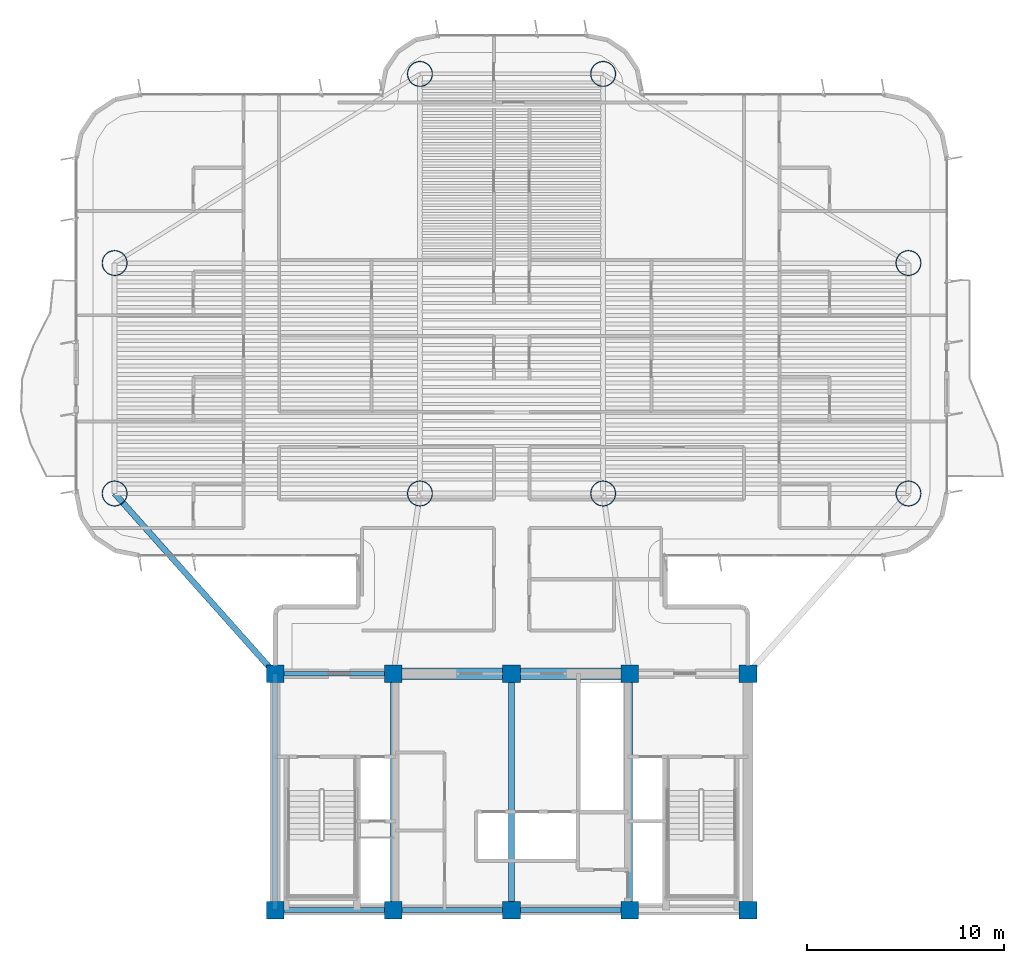
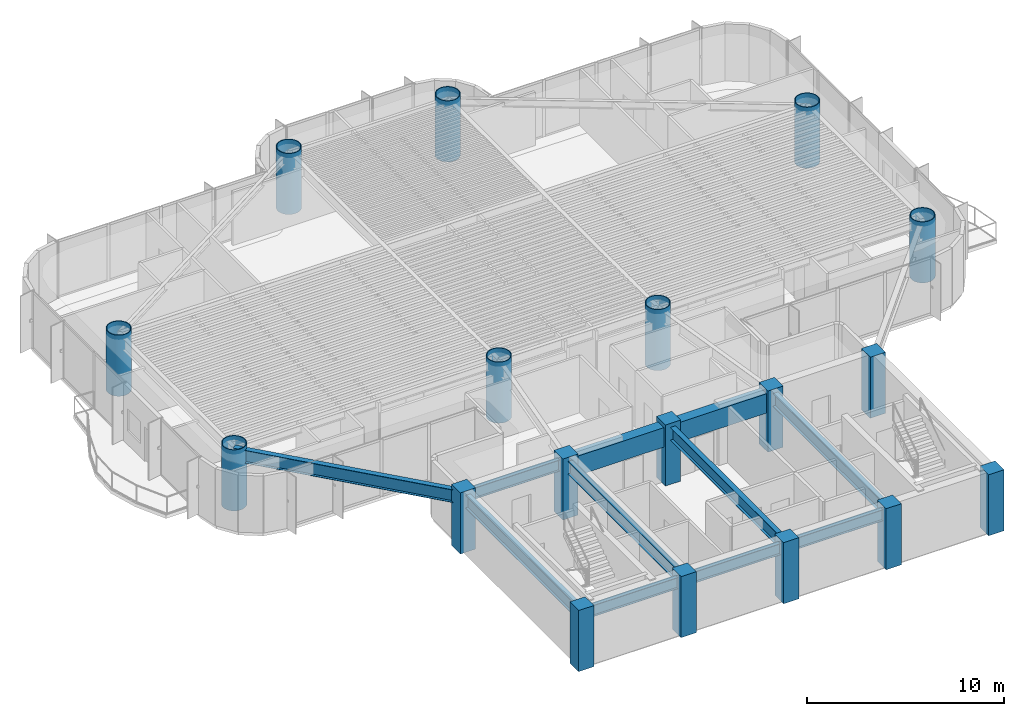
# One storey, part 1 of 17: 18 columns, 10 beams.
"""IFC4 building model written with IfcOpenShell, lengths in metres."""

from ifc_helpers import new_model, si_unit, direction, frame, origin, origin_2d, place, context, subcontext, project, spatial, rectangle, hollow_circle, i_section, extrude, source, transform, mapped, material, material_profile, profile_set, type_object, element, save


model = new_model("IFC4")

# Units and contexts
model_context = context("Model", 3, precision=1e-05, world=origin(), true_north=direction((0.0, 1.0)))
body_context = subcontext(model_context, "Body", "Model", "MODEL_VIEW")
ifc_project = project(units=[si_unit("LENGTHUNIT", "METRE"), si_unit("AREAUNIT", "SQUARE_METRE"), si_unit("VOLUMEUNIT", "CUBIC_METRE"), si_unit("PLANEANGLEUNIT", "RADIAN"), si_unit("MASSUNIT", "GRAM", prefix="KILO")], contexts=[model_context])

# Site, building, storey
site_placement = place(None, origin())
site = spatial("IfcSite", under=ifc_project, at=site_placement, CompositionType="ELEMENT")
building_placement = place(site_placement, origin())
building = spatial("IfcBuilding", under=site, at=building_placement, Name="Brelvock Crest Care Tower", CompositionType="ELEMENT")
storey_placement = place(building_placement, frame((0.0, 0.0, 135.179931640625)))
storey = spatial("IfcBuildingStorey", under=building, at=storey_placement, Name="L34", CompositionType="ELEMENT", Elevation=135.179931640625)

# Columns
ifc_material_1 = material(Name="Concrete S80 (80 MPa)", Category="concrete")
ifc_material_profile_1 = material_profile(ifc_material_1, rectangle(XDim=0.89990234375, YDim=0.89990234375, at=origin_2d()), Name="RC900x900")
ifc_profile_set_1 = profile_set([ifc_material_profile_1], Name="Concrete S80 (80 MPa)")
column_type_1 = type_object("IfcColumnType", Name="COL-RC2", PredefinedType="COLUMN", material=ifc_profile_set_1)
shared_shape_1 = source(origin(), body_context, "Body", "SweptSolid", [
    extrude(rectangle(XDim=0.89990234375, YDim=0.89990234375, at=origin_2d()), origin(), (0.0, 0.0, 1.0), 3.780029296875),
])
for number, where, z_axis, x_axis, name in (
    (1, (24.0, 6.0, 0.0), (0.0, 0.0, 1.0), (1.0, 0.0, 0.0), "L34 Core Column CC-01"),
    (2, (30.0, 6.0, 0.0), (0.0, 0.0, 1.0), (1.0, 0.0, 0.0), "L34 Core Column CC-02"),
    (3, (36.0, 6.0, 0.0), (0.0, 0.0, 1.0), (1.0, 0.0, 0.0), "L34 Core Column CC-03"),
    (4, (42.0, 6.0, 0.0), (0.0, 0.0, 1.0), (1.0, 0.0, 0.0), "L34 Core Column CC-04"),
    (5, (48.0, 6.0, 0.0), (0.0, 0.0, 1.0), (1.0, 0.0, 0.0), "L34 Core Column CC-05"),
    (6, (24.0, 18.0, 0.0), (0.0, 0.0, 1.0), (1.0, 0.0, 0.0), "L34 Core Column CC-06"),
    (7, (30.0, 18.0, 0.0), (0.0, 0.0, 1.0), (1.0, 0.0, 0.0), "L34 Core Column CC-07"),
    (8, (36.0, 18.0, 0.0), (0.0, 0.0, 1.0), (1.0, 0.0, 0.0), "L34 Core Column CC-08"),
    (9, (42.0, 18.0, 0.0), (0.0, 0.0, 1.0), (1.0, 0.0, 0.0), "L34 Core Column CC-09"),
    (10, (48.0, 18.0, 0.0), (0.0, 0.0, 1.0), (1.0, 0.0, 0.0), "L34 Core Column CC-10"),
):
    element("IfcColumn", number, at=place(storey_placement, frame(where, z_axis=z_axis, x_axis=x_axis)), inside=storey, type_object=column_type_1, Name=name, PredefinedType="COLUMN", context=body_context, shape_type="MappedRepresentation", body=[
        mapped(shared_shape_1, transform((0.0, 0.0, 0.0), x_axis=(1.0, 0.0, 0.0), y_axis=(0.0, 1.0, 0.0), z_axis=(0.0, 0.0, 1.0), scale=1.0)),
    ])
ifc_material_2 = material(Name="Steel Grade 350", Category="steel")
ifc_material_profile_2 = material_profile(ifc_material_2, hollow_circle(Radius=0.64990234375, WallThickness=0.044921875, at=origin_2d()), Name="CFT1300x45")
ifc_profile_set_2 = profile_set([ifc_material_profile_2], Name="Steel Grade 350")
column_type_2 = type_object("IfcColumnType", Name="COL-MC2", PredefinedType="COLUMN", material=ifc_profile_set_2)
shared_shape_2 = source(origin(), body_context, "Body", "SweptSolid", [
    extrude(hollow_circle(Radius=0.64990234375, WallThickness=0.044921875, at=origin_2d()), origin(), (0.0, 0.0, 1.0), 3.780029296875),
])
for number, where, z_axis, x_axis, name in (
    (11, (15.85009765625, 27.14990234375, 0.0), (0.0, 0.0, 1.0), (1.0, 0.0, 0.0), "L34 Tower Column M1"),
    (12, (15.85009765625, 38.85009765625, 0.0), (0.0, 0.0, 1.0), (1.0, 0.0, 0.0), "L34 Tower Column M2"),
    (13, (56.14990234375, 27.14990234375, 0.0), (0.0, 0.0, 1.0), (1.0, 0.0, 0.0), "L34 Tower Column M3"),
    (14, (56.14990234375, 38.85009765625, 0.0), (0.0, 0.0, 1.0), (1.0, 0.0, 0.0), "L34 Tower Column M4"),
    (15, (31.35009765625, 27.14990234375, 0.0), (0.0, 0.0, 1.0), (1.0, 0.0, 0.0), "L34 Tower Column M5"),
    (16, (40.64990234375, 27.14990234375, 0.0), (0.0, 0.0, 1.0), (1.0, 0.0, 0.0), "L34 Tower Column M6"),
    (17, (31.35009765625, 48.449951171875, 0.0), (0.0, 0.0, 1.0), (1.0, 0.0, 0.0), "L34 Tower Column M7"),
    (18, (40.64990234375, 48.449951171875, 0.0), (0.0, 0.0, 1.0), (1.0, 0.0, 0.0), "L34 Tower Column M8"),
):
    element("IfcColumn", number, at=place(storey_placement, frame(where, z_axis=z_axis, x_axis=x_axis)), inside=storey, type_object=column_type_2, Name=name, PredefinedType="COLUMN", context=body_context, shape_type="MappedRepresentation", body=[
        mapped(shared_shape_2, transform((0.0, 0.0, 0.0), x_axis=(1.0, 0.0, 0.0), y_axis=(0.0, 1.0, 0.0), z_axis=(0.0, 0.0, 1.0), scale=1.0)),
    ])

# Beams
ifc_material_profile_3 = material_profile(ifc_material_1, rectangle(XDim=0.60009765625, YDim=1.199951171875, at=origin_2d()), Name="RC600x1200")
ifc_profile_set_3 = profile_set([ifc_material_profile_3], Name="Concrete S80 (80 MPa)")
beam_type_1 = type_object("IfcBeamType", Name="BM-LN1", PredefinedType="LINTEL", material=ifc_profile_set_3)
shared_shape_3 = source(origin(), body_context, "Body", "SweptSolid", [
    extrude(rectangle(XDim=0.60009765625, YDim=1.199951171875, at=origin_2d()), origin(), (0.0, 0.0, 1.0), 12.0),
])
beam_1_placement = place(storey_placement, frame((30.0, 18.0, 2.93017578125), z_axis=(1.0, 0.0, 0.0), x_axis=(0.0, 1.0, 0.0)))
element("IfcBeam", 19, at=beam_1_placement, inside=storey, type_object=beam_type_1, Name="L34 Core Coupling Lintel Beam", PredefinedType="LINTEL", context=body_context, shape_type="MappedRepresentation", body=[
    mapped(shared_shape_3, transform((0.0, 0.0, 0.0), x_axis=(1.0, 0.0, 0.0), y_axis=(0.0, 1.0, 0.0), z_axis=(0.0, 0.0, 1.0), scale=1.0)),
])
ifc_material_profile_4 = material_profile(ifc_material_2, i_section(OverallWidth=0.25, OverallDepth=0.699951171875, WebThickness=0.011962890625, FlangeThickness=0.02001953125, at=origin_2d()), Name="700WB150")
ifc_profile_set_4 = profile_set([ifc_material_profile_4], Name="Steel Grade 350")
beam_type_2 = type_object("IfcBeamType", Name="BM-G4", PredefinedType="BEAM", material=ifc_profile_set_4)
shared_shape_4 = source(origin(), body_context, "Body", "SweptSolid", [
    extrude(i_section(OverallWidth=0.25, OverallDepth=0.699951171875, WebThickness=0.011962890625, FlangeThickness=0.02001953125, at=origin_2d()), origin(), (0.0, 0.0, 1.0), 6.0),
])
for number, where, z_axis, x_axis, name in (
    (20, (24.0, 6.0, 3.18017578125), (1.0, 0.0, 0.0), (0.0, 1.0, 0.0), "BM-CORES-L34-1"),
    (21, (24.0, 18.0, 3.18017578125), (1.0, 0.0, 0.0), (0.0, 1.0, 0.0), "BM-COREN-L34-1"),
    (22, (30.0, 6.0, 3.18017578125), (1.0, 0.0, 0.0), (0.0, 1.0, 0.0), "BM-CORES-L34-2"),
    (23, (36.0, 6.0, 3.18017578125), (1.0, 0.0, 0.0), (0.0, 1.0, 0.0), "BM-CORES-L34-3"),
):
    element("IfcBeam", number, at=place(storey_placement, frame(where, z_axis=z_axis, x_axis=x_axis)), inside=storey, type_object=beam_type_2, Name=name, PredefinedType="BEAM", context=body_context, shape_type="MappedRepresentation", body=[
        mapped(shared_shape_4, transform((0.0, 0.0, 0.0), x_axis=(1.0, 0.0, 0.0), y_axis=(0.0, 1.0, 0.0), z_axis=(0.0, 0.0, 1.0), scale=1.0)),
    ])
ifc_material_profile_5 = material_profile(ifc_material_2, i_section(OverallWidth=0.300048828125, OverallDepth=0.800048828125, WebThickness=0.013916015625, FlangeThickness=0.02197265625, at=origin_2d()), Name="800WB192")
ifc_profile_set_5 = profile_set([ifc_material_profile_5], Name="Steel Grade 350")
beam_type_3 = type_object("IfcBeamType", Name="BM-G5", PredefinedType="BEAM", material=ifc_profile_set_5)
shared_shape_5 = source(origin(), body_context, "Body", "SweptSolid", [
    extrude(i_section(OverallWidth=0.300048828125, OverallDepth=0.800048828125, WebThickness=0.013916015625, FlangeThickness=0.02197265625, at=origin_2d()), origin(), (0.0, 0.0, 1.0), 12.0),
])
for number, where, z_axis, x_axis, name in (
    (24, (24.0, 6.0, 3.130126953125), (0.0, 1.0, 0.0), (-1.0, 0.0, 0.0), "BM-COREX-L34-1"),
    (25, (30.0, 6.0, 3.130126953125), (0.0, 1.0, 0.0), (-1.0, 0.0, 0.0), "BM-COREX-L34-2"),
    (26, (36.0, 6.0, 3.130126953125), (0.0, 1.0, 0.0), (-1.0, 0.0, 0.0), "BM-COREX-L34-3"),
    (27, (42.0, 6.0, 3.130126953125), (0.0, 1.0, 0.0), (-1.0, 0.0, 0.0), "BM-COREX-L34-4"),
):
    element("IfcBeam", number, at=place(storey_placement, frame(where, z_axis=z_axis, x_axis=x_axis)), inside=storey, type_object=beam_type_3, Name=name, PredefinedType="BEAM", context=body_context, shape_type="MappedRepresentation", body=[
        mapped(shared_shape_5, transform((0.0, 0.0, 0.0), x_axis=(1.0, 0.0, 0.0), y_axis=(0.0, 1.0, 0.0), z_axis=(0.0, 0.0, 1.0), scale=1.0)),
    ])
shared_shape_6 = source(origin(), body_context, "Body", "SweptSolid", [
    extrude(i_section(OverallWidth=0.300048828125, OverallDepth=0.800048828125, WebThickness=0.013916015625, FlangeThickness=0.02197265625, at=origin_2d()), origin(), (0.0, 0.0, 1.0), 12.253173828125),
])
beam_2_placement = place(storey_placement, frame((24.0, 18.0, 3.130126953125), z_axis=(-0.665122829149, 0.746733970129, 0.0), x_axis=(-0.746733970129, -0.665122829149, 0.0)))
element("IfcBeam", 28, at=beam_2_placement, inside=storey, type_object=beam_type_3, Name="BM-THRO-W-L34", PredefinedType="BEAM", context=body_context, shape_type="MappedRepresentation", body=[
    mapped(shared_shape_6, transform((0.0, 0.0, 0.0), x_axis=(1.0, 0.0, 0.0), y_axis=(0.0, 1.0, 0.0), z_axis=(0.0, 0.0, 1.0), scale=1.0)),
])

save(model, "model.ifc")
